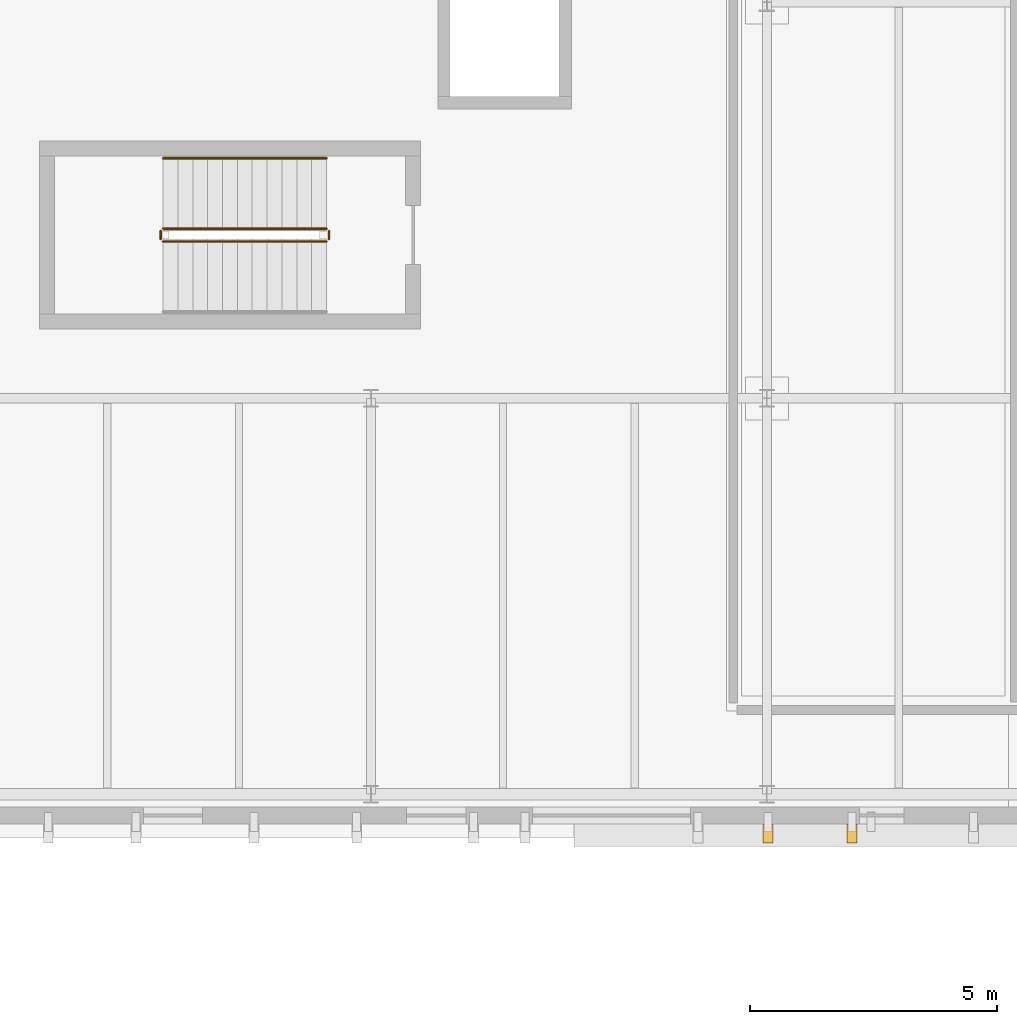
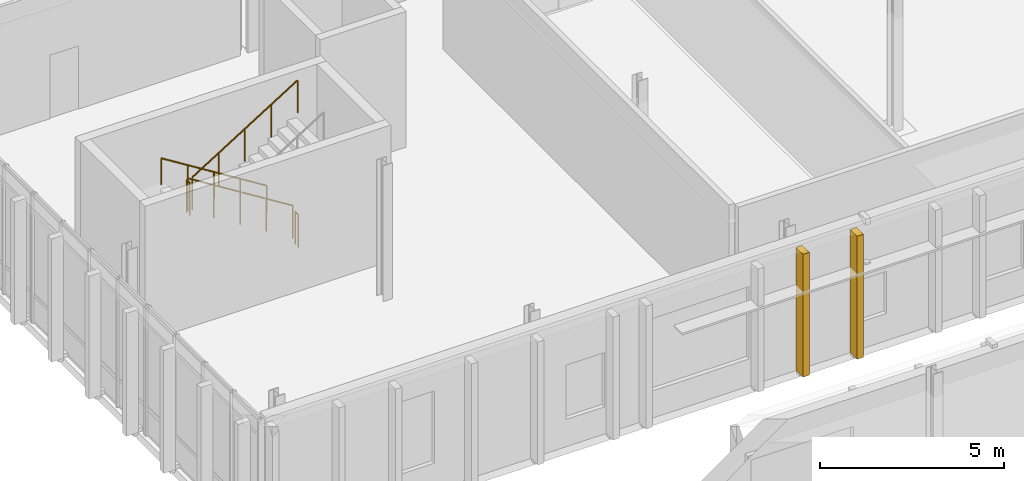
# One storey, part 94 of 100: 5 railings, 2 coverings.
"""IFC4 building model written with IfcOpenShell, lengths in metres."""

from ifc_helpers import new_model, si_unit, direction, frame, origin, origin_2d, place, context, subcontext, project, spatial, rectangle, circle, extrude, material, layer, layer_set, type_object, element, save


model = new_model("IFC4")

# Units and contexts
model_context = context("Model", 3, precision=1e-05, world=origin(), true_north=direction((0.0, 1.0)))
body_context = subcontext(model_context, "Body", "Model", "MODEL_VIEW")
ifc_project = project(units=[si_unit("LENGTHUNIT", "METRE"), si_unit("AREAUNIT", "SQUARE_METRE"), si_unit("VOLUMEUNIT", "CUBIC_METRE"), si_unit("PLANEANGLEUNIT", "RADIAN"), si_unit("MASSUNIT", "GRAM", prefix="KILO")], contexts=[model_context])

# Site, building, storey
site_placement = place(None, origin())
site = spatial("IfcSite", under=ifc_project, at=site_placement, CompositionType="ELEMENT")
building_placement = place(site_placement, origin())
building = spatial("IfcBuilding", under=site, at=building_placement, Name="Cymarion Research Institute", CompositionType="ELEMENT")
storey_placement = place(building_placement, frame((0.0, 0.0, 9.300048828125)))
storey = spatial("IfcBuildingStorey", under=building, at=storey_placement, Name="L02", CompositionType="ELEMENT", Elevation=9.300048828125)

# Railings
ifc_material_1 = material(Name="Steel S355", Category="steel")
railing_type_1 = type_object("IfcRailingType", Name="PAINTED STEEL STAIR GUARDRAIL GR1 1100MM", PredefinedType="GUARDRAIL", material=ifc_material_1)
railing_1_placement = place(storey_placement, frame((13.699951171875, 96.929931640625, 0.1875)))
element("IfcRailing", 1, at=railing_1_placement, inside=storey, type_object=railing_type_1, Name="L02 ST9 stair guard 1", PredefinedType="GUARDRAIL", context=body_context, shape_type="SweptSolid", body=[
    extrude(circle(Radius=0.02392578125, at=origin_2d()), frame((0.0, 0.0, 1.076171875), z_axis=(-0.848001828478, 0.0, 0.529993300805), x_axis=(0.0, -1.0, 0.0)), (0.0, 0.0, 1.0), 3.8916015625),
    extrude(circle(Radius=0.02099609375, at=origin_2d()), origin(), (0.0, 0.0, 1.0), 1.052001953125),
    extrude(circle(Radius=0.02099609375, at=origin_2d()), frame((-0.824951171875, 0.0, 0.515625)), (0.0, 0.0, 1.0), 1.052001953125),
    extrude(circle(Radius=0.02099609375, at=origin_2d()), frame((-1.64990234375, 0.0, 1.03125)), (0.0, 0.0, 1.0), 1.052001953125),
    extrude(circle(Radius=0.02099609375, at=origin_2d()), frame((-2.47509765625, 0.0, 1.546875)), (0.0, 0.0, 1.0), 1.052001953125),
    extrude(circle(Radius=0.02099609375, at=origin_2d()), frame((-3.300048828125, 0.0, 2.0625)), (0.0, 0.0, 1.0), 1.052001953125),
])
railing_2_placement = place(storey_placement, frame((10.35009765625, 96.8798828125, 2.25)))
element("IfcRailing", 2, at=railing_2_placement, inside=storey, type_object=railing_type_1, Name="L02 ST9 stair guard 2", PredefinedType="GUARDRAIL", context=body_context, shape_type="SweptSolid", body=[
    extrude(circle(Radius=0.02392578125, at=origin_2d()), frame((0.0, 0.0, 1.076171875), z_axis=(0.0, -1.0, 0.0), x_axis=(1.0, 0.0, 0.0)), (0.0, 0.0, 1.0), 0.159912109375),
    extrude(circle(Radius=0.02099609375, at=origin_2d()), origin(), (0.0, 0.0, 1.0), 1.052001953125),
    extrude(circle(Radius=0.02099609375, at=origin_2d()), frame((0.0, -0.159912109375, 0.0)), (0.0, 0.0, 1.0), 1.052001953125),
])
railing_3_placement = place(storey_placement, frame((10.39990234375, 96.669921875, 2.4375)))
element("IfcRailing", 3, at=railing_3_placement, inside=storey, type_object=railing_type_1, Name="L02 ST9 stair guard 3", PredefinedType="GUARDRAIL", context=body_context, shape_type="SweptSolid", body=[
    extrude(circle(Radius=0.02392578125, at=origin_2d()), frame((0.0, 0.0, 1.076171875), z_axis=(0.848001828478, 0.0, 0.529993300805), x_axis=(0.0, 1.0, 0.0)), (0.0, 0.0, 1.0), 3.8916015625),
    extrude(circle(Radius=0.02099609375, at=origin_2d()), origin(), (0.0, 0.0, 1.0), 1.052001953125),
    extrude(circle(Radius=0.02099609375, at=origin_2d()), frame((0.824951171875, 0.0, 0.515625)), (0.0, 0.0, 1.0), 1.052001953125),
    extrude(circle(Radius=0.02099609375, at=origin_2d()), frame((1.64990234375, 0.0, 1.03125)), (0.0, 0.0, 1.0), 1.052001953125),
    extrude(circle(Radius=0.02099609375, at=origin_2d()), frame((2.47509765625, 0.0, 1.546875)), (0.0, 0.0, 1.0), 1.052001953125),
    extrude(circle(Radius=0.02099609375, at=origin_2d()), frame((3.300048828125, 0.0, 2.0625)), (0.0, 0.0, 1.0), 1.052001953125),
])
railing_4_placement = place(storey_placement, frame((13.75, 96.8798828125, 0.0)))
element("IfcRailing", 4, at=railing_4_placement, inside=storey, type_object=railing_type_1, Name="L02 ST9 stair guard 4", PredefinedType="GUARDRAIL", context=body_context, shape_type="SweptSolid", body=[
    extrude(circle(Radius=0.02392578125, at=origin_2d()), frame((0.0, 0.0, 1.076171875), z_axis=(0.0, -1.0, 0.0), x_axis=(1.0, 0.0, 0.0)), (0.0, 0.0, 1.0), 0.159912109375),
    extrude(circle(Radius=0.02099609375, at=origin_2d()), origin(), (0.0, 0.0, 1.0), 1.052001953125),
    extrude(circle(Radius=0.02099609375, at=origin_2d()), frame((0.0, -0.159912109375, 0.0)), (0.0, 0.0, 1.0), 1.052001953125),
])

# Coverings
ifc_material_2 = material(Name="Precast concrete C45/55 architectural white", Category="concrete")
ifc_layer = layer(ifc_material_2, 0.199951171875)
ifc_layer_set = layer_set([ifc_layer], Name="Precast concrete C45/55 architectural white")
covering_type = type_object("IfcCoveringType", Name="SCULPTURAL WHITE PRECAST CONCRETE VERTICAL RIB RIB1 380X200", PredefinedType="CLADDING", material=ifc_layer_set)
for number, where, z_axis, x_axis, name in (
    (5, (22.622314453125, 84.7080078125, 0.009765625), (0.0, 0.0, 1.0), (0.0, -1.0, 0.0), "L02 V5 sculptural precast vertical rib RIB1 #597"),
    (6, (24.320068359375, 84.7080078125, 0.009765625), (0.0, 0.0, 1.0), (0.0, -1.0, 0.0), "L02 V5 sculptural precast vertical rib RIB1 #598"),
):
    element("IfcCovering", number, at=place(storey_placement, frame(where, z_axis=z_axis, x_axis=x_axis)), inside=storey, type_object=covering_type, Name=name, PredefinedType="CLADDING", context=body_context, shape_type="SweptSolid", body=[
        extrude(rectangle(XDim=0.3798828125, YDim=0.199951171875, at=origin_2d()), origin(), (0.0, 0.0, 1.0), 4.074951171875),
    ])

# Railing
railing_type_2 = type_object("IfcRailingType", Name="STAINLESS STEEL STAIR HANDRAIL HR1 900MM", PredefinedType="HANDRAIL", material=ifc_material_1)
railing_5_placement = place(storey_placement, frame((13.699951171875, 98.35009765625, 0.1875)))
element("IfcRailing", 7, at=railing_5_placement, inside=storey, type_object=railing_type_2, Name="L02 ST9 stair handrail 1", PredefinedType="HANDRAIL", context=body_context, shape_type="SweptSolid", body=[
    extrude(circle(Radius=0.02392578125, at=origin_2d()), frame((0.0, 0.0, 0.8759765625), z_axis=(-0.848001828478, 0.0, 0.529993300805), x_axis=(0.0, -1.0, 0.0)), (0.0, 0.0, 1.0), 3.8916015625),
    extrude(circle(Radius=0.02099609375, at=origin_2d()), origin(), (0.0, 0.0, 1.0), 0.851806640625),
    extrude(circle(Radius=0.02099609375, at=origin_2d()), frame((-0.824951171875, 0.0, 0.515625)), (0.0, 0.0, 1.0), 0.851806640625),
    extrude(circle(Radius=0.02099609375, at=origin_2d()), frame((-1.64990234375, 0.0, 1.03125)), (0.0, 0.0, 1.0), 0.851806640625),
    extrude(circle(Radius=0.02099609375, at=origin_2d()), frame((-2.47509765625, 0.0, 1.546875)), (0.0, 0.0, 1.0), 0.851806640625),
    extrude(circle(Radius=0.02099609375, at=origin_2d()), frame((-3.300048828125, 0.0, 2.0625)), (0.0, 0.0, 1.0), 0.851806640625),
])

save(model, "model.ifc")
